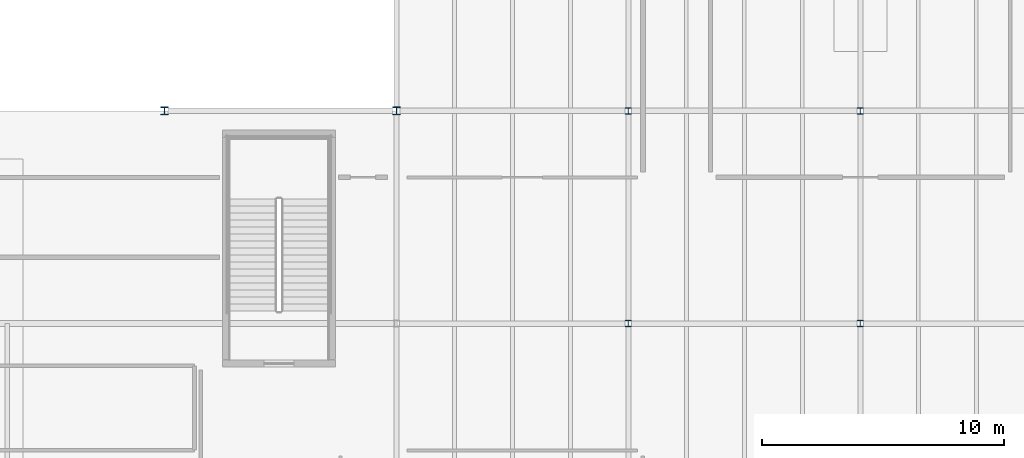
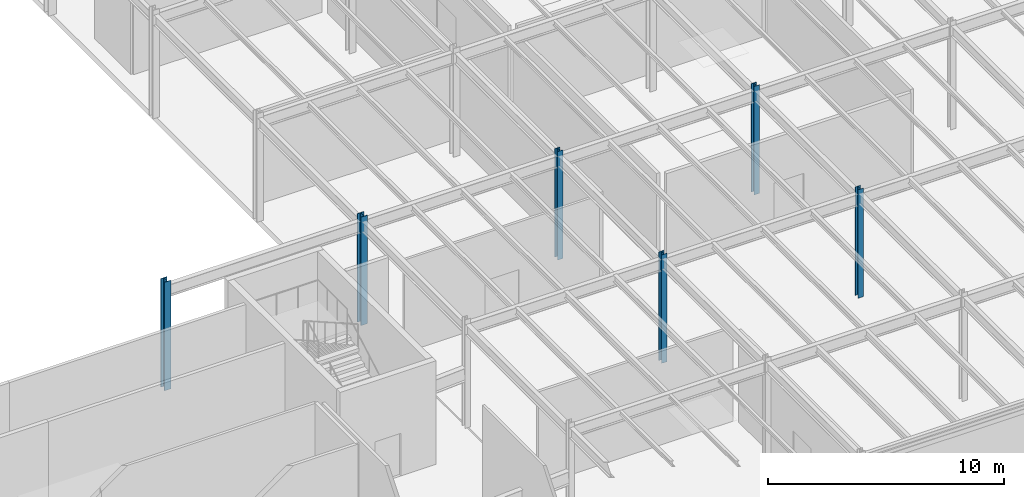
# One storey, part 6 of 70: 6 columns.
"""IFC4 building model written with IfcOpenShell, lengths in metres."""

from ifc_helpers import new_model, si_unit, direction, frame, origin, origin_2d, place, context, subcontext, project, spatial, i_section, extrude, material, material_profile, profile_set, type_object, element, save


model = new_model("IFC4")

# Units and contexts
model_context = context("Model", 3, precision=1e-05, world=origin(), true_north=direction((0.0, 1.0)))
body_context = subcontext(model_context, "Body", "Model", "MODEL_VIEW")
ifc_project = project(units=[si_unit("LENGTHUNIT", "METRE"), si_unit("AREAUNIT", "SQUARE_METRE"), si_unit("VOLUMEUNIT", "CUBIC_METRE"), si_unit("PLANEANGLEUNIT", "RADIAN"), si_unit("MASSUNIT", "GRAM", prefix="KILO")], contexts=[model_context])

# Site, building, storey
site_placement = place(None, origin())
site = spatial("IfcSite", under=ifc_project, at=site_placement, CompositionType="ELEMENT")
building_placement = place(site_placement, origin())
building = spatial("IfcBuilding", under=site, at=building_placement, Name="Sarnbrook Museum", CompositionType="ELEMENT")
storey_placement = place(building_placement, origin())
storey = spatial("IfcBuildingStorey", under=building, at=storey_placement, Name="L00", CompositionType="ELEMENT", Elevation=0.0)

# Columns
ifc_material = material(Name="Structural Steel Grade 300PLUS (AS/NZS 3679.1, fy = 280 MPa for 17 < t <= 40 mm, 300 MPa for t <= 17 mm)", Category="steel")
ifc_material_profile_1 = material_profile(ifc_material, i_section(OverallWidth=0.256103515625, OverallDepth=0.260009765625, WebThickness=0.010498046875, FlangeThickness=0.017333984375, FilletRadius=0.0126953125, at=origin_2d()), Name="250UC89.5")
ifc_profile_set_1 = profile_set([ifc_material_profile_1], Name="Structural Steel Grade 300PLUS (AS/NZS 3679.1, fy = 280 MPa for 17 < t <= 40 mm, 300 MPa for t <= 17 mm)")
column_type_1 = type_object("IfcColumnType", Name="COL-UC250H", PredefinedType="COLUMN", material=ifc_profile_set_1)
for number, where, z_axis, x_axis, name in (
    (1, (90.39990234375, 21.60009765625, 0.0), (0.0, 0.0, 1.0), (1.0, 0.0, 0.0), "Column 10-C L00"),
    (2, (90.39990234375, 30.39990234375, 0.0), (0.0, 0.0, 1.0), (1.0, 0.0, 0.0), "Column 10-D L00"),
    (3, (100.0, 21.60009765625, 0.0), (0.0, 0.0, 1.0), (1.0, 0.0, 0.0), "Column 11-C L00"),
    (4, (100.0, 30.39990234375, 0.0), (0.0, 0.0, 1.0), (1.0, 0.0, 0.0), "Column 11-D L00"),
):
    element("IfcColumn", number, at=place(storey_placement, frame(where, z_axis=z_axis, x_axis=x_axis)), inside=storey, type_object=column_type_1, Name=name, PredefinedType="COLUMN", context=body_context, shape_type="SweptSolid", body=[
        extrude(i_section(OverallWidth=0.256103515625, OverallDepth=0.260009765625, WebThickness=0.010498046875, FlangeThickness=0.017333984375, FilletRadius=0.0126953125, at=origin_2d()), origin(), (0.0, 0.0, 1.0), 5.60009765625),
    ])
ifc_material_profile_2 = material_profile(ifc_material, i_section(OverallWidth=0.31103515625, OverallDepth=0.326904296875, WebThickness=0.015625, FlangeThickness=0.02490234375, FilletRadius=0.0166015625, at=origin_2d()), Name="310UC158")
ifc_profile_set_2 = profile_set([ifc_material_profile_2], Name="Structural Steel Grade 300PLUS (AS/NZS 3679.1, fy = 280 MPa for 17 < t <= 40 mm, 300 MPa for t <= 17 mm)")
column_type_2 = type_object("IfcColumnType", Name="COL-UC310H", PredefinedType="COLUMN", material=ifc_profile_set_2)
for number, where, z_axis, x_axis, name in (
    (5, (71.199951171875, 30.39990234375, 0.0), (0.0, 0.0, 1.0), (1.0, 0.0, 0.0), "Column 8-D L00"),
    (6, (80.800048828125, 30.39990234375, 0.0), (0.0, 0.0, 1.0), (1.0, 0.0, 0.0), "Column 9-D L00"),
):
    element("IfcColumn", number, at=place(storey_placement, frame(where, z_axis=z_axis, x_axis=x_axis)), inside=storey, type_object=column_type_2, Name=name, PredefinedType="COLUMN", context=body_context, shape_type="SweptSolid", body=[
        extrude(i_section(OverallWidth=0.31103515625, OverallDepth=0.326904296875, WebThickness=0.015625, FlangeThickness=0.02490234375, FilletRadius=0.0166015625, at=origin_2d()), origin(), (0.0, 0.0, 1.0), 5.60009765625),
    ])

save(model, "model.ifc")
